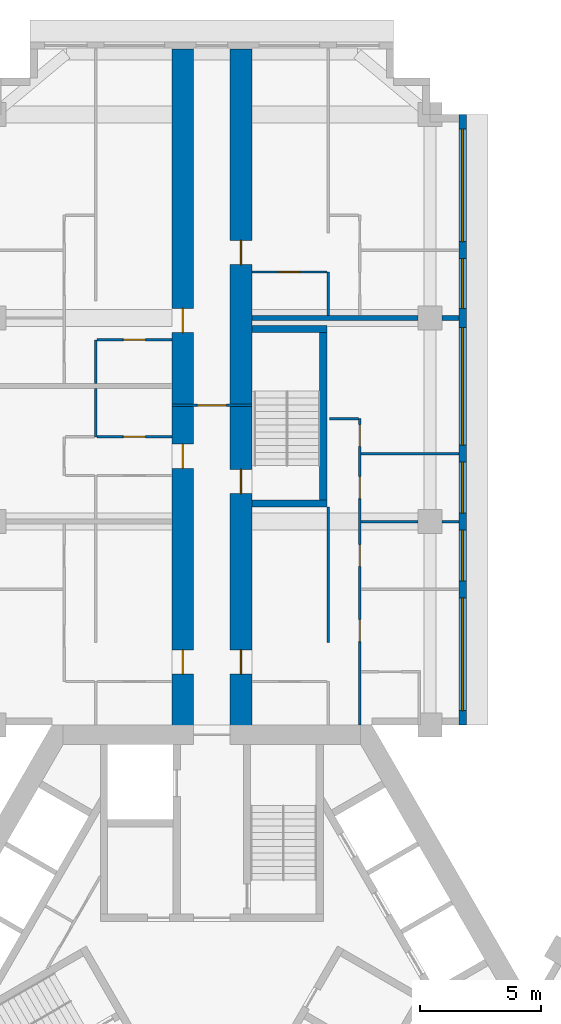
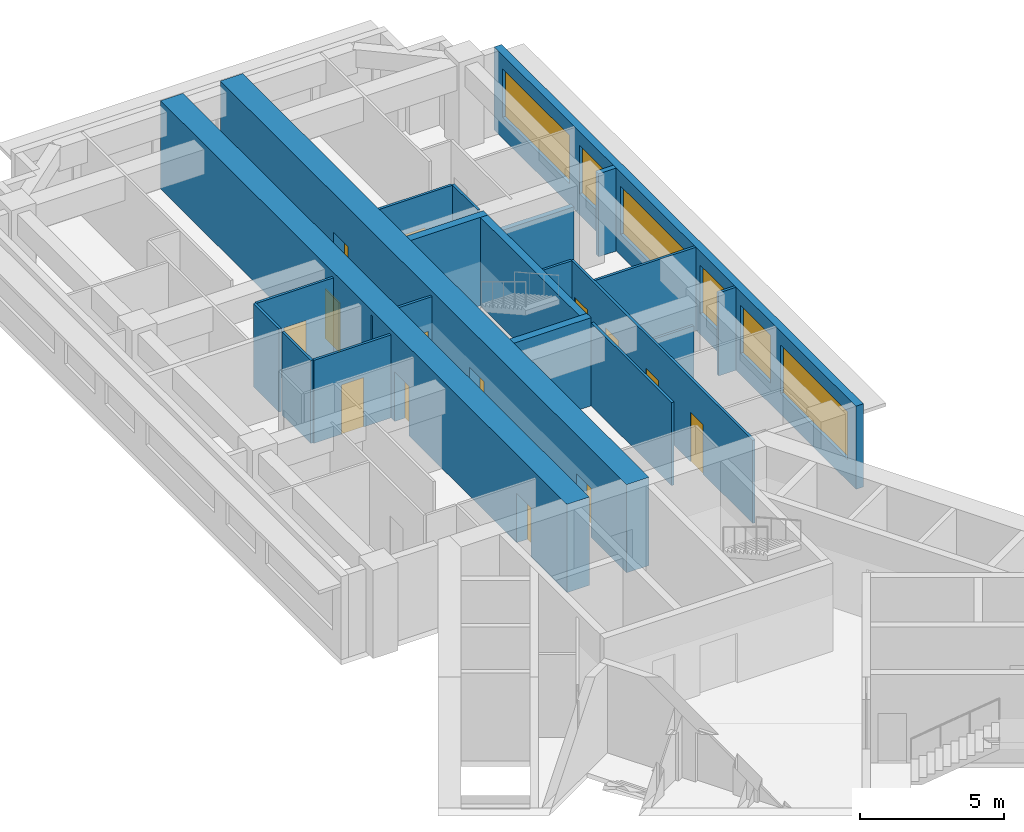
# One storey, part 9 of 13: 21 walls, 14 doors, 6 windows, 20 openings.
"""IFC4 building model written with IfcOpenShell, lengths in metres."""

from ifc_helpers import new_model, si_unit, direction, frame, frame_2d, origin, place, context, subcontext, project, spatial, rectangle, extrude, material, layer, layer_set, type_object, element, fill, save


model = new_model("IFC4")

# Units and contexts
model_context = context("Model", 3, precision=1e-05, world=origin(), true_north=direction((0.0, 1.0)))
body_context = subcontext(model_context, "Body", "Model", "MODEL_VIEW")
ifc_project = project(units=[si_unit("LENGTHUNIT", "METRE"), si_unit("AREAUNIT", "SQUARE_METRE"), si_unit("VOLUMEUNIT", "CUBIC_METRE"), si_unit("PLANEANGLEUNIT", "RADIAN"), si_unit("MASSUNIT", "GRAM", prefix="KILO")], contexts=[model_context])

# Site, building, storey
site_placement = place(None, origin())
site = spatial("IfcSite", under=ifc_project, at=site_placement, CompositionType="ELEMENT")
building_placement = place(site_placement, origin())
building = spatial("IfcBuilding", under=site, at=building_placement, Name="Impinga Residences", CompositionType="ELEMENT")
storey_placement = place(building_placement, frame((0.0, 0.0, 136.0)))
storey = spatial("IfcBuildingStorey", under=building, at=storey_placement, Name="L33", CompositionType="ELEMENT", Elevation=136.0)

# Wall, openings, doors
ifc_material_1 = material(Name="Concrete C60/75", Category="concrete")
ifc_layer_1 = layer(ifc_material_1, 0.89990234375)
ifc_layer_set_1 = layer_set([ifc_layer_1], Name="Concrete C60/75")
wall_type_1 = type_object("IfcWallType", Name="BW2 corridor buttress wall, L24 to L44 900", PredefinedType="SHEAR", material=ifc_layer_set_1)
wall_1_placement = place(storey_placement, frame((-1.199951171875, 11.031494140625, 0.0), z_axis=(0.0, 0.0, 1.0), x_axis=(0.0, 1.0, 0.0)))
wall_1 = element("IfcWall", 1, at=wall_1_placement, inside=storey, type_object=wall_type_1, Name="Corridor wall BW2 NC L33", PredefinedType="SHEAR", context=body_context, shape_type="SweptSolid", body=[
    extrude(rectangle(XDim=28.300048828125, YDim=0.89990234375, at=frame_2d((14.14990234375, 0.0))), origin(), (0.0, 0.0, 1.0), 3.75),
])
opening_1_placement = place(wall_1_placement, frame((2.5, 0.0, 0.0)))
opening_1 = element("IfcOpeningElement", 2, at=opening_1_placement, cuts=wall_1, Name="Opening D1", PredefinedType="OPENING", context=body_context, shape_type="SweptSolid", body=[
    extrude(rectangle(XDim=1.0, YDim=2.10009765625, at=frame_2d((0.5, 1.050048828125))), frame((0.0, 0.4599609375, 0.0), z_axis=(0.0, -1.0, 0.0), x_axis=(1.0, 0.0, 0.0)), (0.0, 0.0, 1.0), 0.919921875),
])
opening_2_placement = place(wall_1_placement, frame((11.0, 0.0, 0.0)))
opening_2 = element("IfcOpeningElement", 3, at=opening_2_placement, cuts=wall_1, Name="Opening D1", PredefinedType="OPENING", context=body_context, shape_type="SweptSolid", body=[
    extrude(rectangle(XDim=1.0, YDim=2.10009765625, at=frame_2d((0.5, 1.050048828125))), frame((0.0, 0.4599609375, 0.0), z_axis=(0.0, -1.0, 0.0), x_axis=(1.0, 0.0, 0.0)), (0.0, 0.0, 1.0), 0.919921875),
])
opening_3_placement = place(wall_1_placement, frame((16.60009765625, 0.0, 0.0)))
opening_3 = element("IfcOpeningElement", 4, at=opening_3_placement, cuts=wall_1, Name="Opening D1", PredefinedType="OPENING", context=body_context, shape_type="SweptSolid", body=[
    extrude(rectangle(XDim=1.0, YDim=2.10009765625, at=frame_2d((0.5, 1.050048828125))), frame((0.0, 0.4599609375, 0.0), z_axis=(0.0, -1.0, 0.0), x_axis=(1.0, 0.0, 0.0)), (0.0, 0.0, 1.0), 0.919921875),
])
ifc_material_2 = material(Name="Timber door set", Category="wood")
door_type_1 = type_object("IfcDoorType", Name="D1 apartment entrance door 1000x2100", OperationType="SINGLE_SWING_LEFT", PredefinedType="DOOR", material=ifc_material_2)
door_1_placement = place(opening_1_placement, origin())
door_1 = element("IfcDoor", 5, at=door_1_placement, inside=storey, type_object=door_type_1, Name="Apartment L33-NA1 entrance", OperationType="SINGLE_SWING_LEFT", OverallHeight=2.10009765625, OverallWidth=1.0, PredefinedType="DOOR", context=body_context, shape_type="SweptSolid", body=[
    extrude(rectangle(XDim=1.0, YDim=2.10009765625, at=frame_2d((0.5, 1.050048828125))), frame((0.0, 0.02490234375, 0.0), z_axis=(0.0, -1.0, 0.0), x_axis=(1.0, 0.0, 0.0)), (0.0, 0.0, 1.0), 0.050048828125),
])
fill(opening_1, door_1)
door_2_placement = place(opening_2_placement, origin())
door_2 = element("IfcDoor", 6, at=door_2_placement, inside=storey, type_object=door_type_1, Name="Apartment L33-NA2 entrance", OperationType="SINGLE_SWING_LEFT", OverallHeight=2.10009765625, OverallWidth=1.0, PredefinedType="DOOR", context=body_context, shape_type="SweptSolid", body=[
    extrude(rectangle(XDim=1.0, YDim=2.10009765625, at=frame_2d((0.5, 1.050048828125))), frame((0.0, 0.02490234375, 0.0), z_axis=(0.0, -1.0, 0.0), x_axis=(1.0, 0.0, 0.0)), (0.0, 0.0, 1.0), 0.050048828125),
])
fill(opening_2, door_2)
door_3_placement = place(opening_3_placement, origin())
door_3 = element("IfcDoor", 7, at=door_3_placement, inside=storey, type_object=door_type_1, Name="Apartment L33-NA3 entrance", OperationType="SINGLE_SWING_RIGHT", OverallHeight=2.10009765625, OverallWidth=1.0, PredefinedType="DOOR", context=body_context, shape_type="SweptSolid", body=[
    extrude(rectangle(XDim=1.0, YDim=2.10009765625, at=frame_2d((0.5, 1.050048828125))), frame((0.0, 0.02490234375, 0.0), z_axis=(0.0, -1.0, 0.0), x_axis=(1.0, 0.0, 0.0)), (0.0, 0.0, 1.0), 0.050048828125),
])
fill(opening_3, door_3)

wall_2_placement = place(storey_placement, frame((1.199951171875, 11.031494140625, 0.0), z_axis=(0.0, 0.0, 1.0), x_axis=(0.0, 1.0, 0.0)))
wall_2 = element("IfcWall", 8, at=wall_2_placement, inside=storey, type_object=wall_type_1, Name="Corridor wall BW2 ND L33", PredefinedType="SHEAR", context=body_context, shape_type="SweptSolid", body=[
    extrude(rectangle(XDim=28.300048828125, YDim=0.89990234375, at=frame_2d((14.14990234375, 0.0))), origin(), (0.0, 0.0, 1.0), 3.75),
])
opening_4_placement = place(wall_2_placement, frame((9.949951171875, 0.0, 0.0)))
opening_4 = element("IfcOpeningElement", 9, at=opening_4_placement, cuts=wall_2, Name="Opening D5", PredefinedType="OPENING", context=body_context, shape_type="SweptSolid", body=[
    extrude(rectangle(XDim=1.0, YDim=2.10009765625, at=frame_2d((0.5, 1.050048828125))), frame((0.0, 0.4599609375, 0.0), z_axis=(0.0, -1.0, 0.0), x_axis=(1.0, 0.0, 0.0)), (0.0, 0.0, 1.0), 0.919921875),
])
opening_5_placement = place(wall_2_placement, frame((2.5, 0.0, 0.0)))
opening_5 = element("IfcOpeningElement", 10, at=opening_5_placement, cuts=wall_2, Name="Opening D1", PredefinedType="OPENING", context=body_context, shape_type="SweptSolid", body=[
    extrude(rectangle(XDim=1.0, YDim=2.10009765625, at=frame_2d((0.5, 1.050048828125))), frame((0.0, 0.4599609375, 0.0), z_axis=(0.0, -1.0, 0.0), x_axis=(1.0, 0.0, 0.0)), (0.0, 0.0, 1.0), 0.919921875),
])
opening_6_placement = place(wall_2_placement, frame((19.39990234375, 0.0, 0.0)))
opening_6 = element("IfcOpeningElement", 11, at=opening_6_placement, cuts=wall_2, Name="Opening D1", PredefinedType="OPENING", context=body_context, shape_type="SweptSolid", body=[
    extrude(rectangle(XDim=1.0, YDim=2.10009765625, at=frame_2d((0.5, 1.050048828125))), frame((0.0, 0.4599609375, 0.0), z_axis=(0.0, -1.0, 0.0), x_axis=(1.0, 0.0, 0.0)), (0.0, 0.0, 1.0), 0.919921875),
])
door_4_placement = place(opening_5_placement, origin())
door_4 = element("IfcDoor", 12, at=door_4_placement, inside=storey, type_object=door_type_1, Name="Apartment L33-NF1 entrance", OperationType="SINGLE_SWING_LEFT", OverallHeight=2.10009765625, OverallWidth=1.0, PredefinedType="DOOR", context=body_context, shape_type="SweptSolid", body=[
    extrude(rectangle(XDim=1.0, YDim=2.10009765625, at=frame_2d((0.5, 1.050048828125))), frame((0.0, 0.02490234375, 0.0), z_axis=(0.0, -1.0, 0.0), x_axis=(1.0, 0.0, 0.0)), (0.0, 0.0, 1.0), 0.050048828125),
])
fill(opening_5, door_4)
door_5_placement = place(opening_6_placement, origin())
door_5 = element("IfcDoor", 13, at=door_5_placement, inside=storey, type_object=door_type_1, Name="Apartment L33-NF2 entrance", OperationType="SINGLE_SWING_RIGHT", OverallHeight=2.10009765625, OverallWidth=1.0, PredefinedType="DOOR", context=body_context, shape_type="SweptSolid", body=[
    extrude(rectangle(XDim=1.0, YDim=2.10009765625, at=frame_2d((0.5, 1.050048828125))), frame((0.0, 0.02490234375, 0.0), z_axis=(0.0, -1.0, 0.0), x_axis=(1.0, 0.0, 0.0)), (0.0, 0.0, 1.0), 0.050048828125),
])
fill(opening_6, door_5)
door_type_2 = type_object("IfcDoorType", Name="D5 stair door 1000x2100", OperationType="SINGLE_SWING_LEFT", PredefinedType="DOOR", material=ifc_material_2)
door_6_placement = place(opening_4_placement, origin())
door_6 = element("IfcDoor", 14, at=door_6_placement, inside=storey, type_object=door_type_2, Name="Wing stair door N", OperationType="SINGLE_SWING_LEFT", OverallHeight=2.10009765625, OverallWidth=1.0, PredefinedType="DOOR", context=body_context, shape_type="SweptSolid", body=[
    extrude(rectangle(XDim=1.0, YDim=2.10009765625, at=frame_2d((0.5, 1.050048828125))), frame((0.0, 0.02490234375, 0.0), z_axis=(0.0, -1.0, 0.0), x_axis=(1.0, 0.0, 0.0)), (0.0, 0.0, 1.0), 0.050048828125),
])
fill(opening_4, door_6)

# Wall, opening, door
ifc_material_3 = material(Name="Concrete blockwork", Category="masonry")
ifc_layer_2 = layer(ifc_material_3, 0.10009765625)
ifc_layer_set_2 = layer_set([ifc_layer_2], Name="CP1 core room partition, blockwork 100")
wall_type_2 = type_object("IfcWallType", Name="CP1 core room partition, blockwork 100", PredefinedType="PARTITIONING", material=ifc_layer_set_2)
wall_3_placement = place(storey_placement, frame((-1.64990234375, 24.631591796875, 0.0), z_axis=(0.0, 0.0, 1.0), x_axis=(1.0, 0.0, 0.0)))
wall_3 = element("IfcWall", 15, at=wall_3_placement, inside=storey, type_object=wall_type_2, Name="Core room partition, blockwork L33:N:PLB", PredefinedType="PARTITIONING", context=body_context, shape_type="SweptSolid", body=[
    extrude(rectangle(XDim=3.2998046875, YDim=0.10009765625, at=frame_2d((1.64990234375, 0.0))), origin(), (0.0, 0.0, 1.0), 3.530029296875),
])
opening_7_placement = place(wall_3_placement, frame((1.050048828125, 0.0, 0.0)))
opening_7 = element("IfcOpeningElement", 16, at=opening_7_placement, cuts=wall_3, Name="Opening D3", PredefinedType="OPENING", context=body_context, shape_type="SweptSolid", body=[
    extrude(rectangle(XDim=1.199951171875, YDim=2.10009765625, at=frame_2d((0.60009765625, 1.050048828125))), frame((0.0, 0.06005859375, 0.0), z_axis=(0.0, -1.0, 0.0), x_axis=(1.0, 0.0, 0.0)), (0.0, 0.0, 1.0), 0.1201171875),
])
door_type_3 = type_object("IfcDoorType", Name="D3 room door, leaf and a half 1200x2100", OperationType="DOUBLE_SWING_LEFT", PredefinedType="DOOR", material=ifc_material_2)
door_7_placement = place(opening_7_placement, origin())
door_7 = element("IfcDoor", 17, at=door_7_placement, inside=storey, type_object=door_type_3, Name="Private lobby door N", OperationType="DOUBLE_SWING_LEFT", OverallHeight=2.10009765625, OverallWidth=1.199951171875, PredefinedType="DOOR", context=body_context, shape_type="SweptSolid", body=[
    extrude(rectangle(XDim=1.199951171875, YDim=2.10009765625, at=frame_2d((0.60009765625, 1.050048828125))), frame((0.0, 0.02490234375, 0.0), z_axis=(0.0, -1.0, 0.0), x_axis=(1.0, 0.0, 0.0)), (0.0, 0.0, 1.0), 0.050048828125),
])
fill(opening_7, door_7)

# Wall, openings, windows
ifc_material_4 = material(Name="Terracotta rainscreen on blockwork", Category="masonry")
ifc_layer_3 = layer(ifc_material_4, 0.300048828125)
ifc_layer_set_3 = layer_set([ifc_layer_3], Name="EW1 external wall, terracotta rainscreen on blockwork 300")
wall_type_3 = type_object("IfcWallType", Name="EW1 external wall, terracotta rainscreen on blockwork 300", PredefinedType="SOLIDWALL", material=ifc_layer_set_3)
wall_4_placement = place(storey_placement, frame((10.35009765625, 36.631591796875, 0.0), z_axis=(0.0, 0.0, 1.0), x_axis=(0.0, -1.0, 0.0)))
wall_4 = element("IfcWall", 18, at=wall_4_placement, inside=storey, type_object=wall_type_3, Name="External wall EW1 L33", PredefinedType="SOLIDWALL", context=body_context, shape_type="SweptSolid", body=[
    extrude(rectangle(XDim=25.199951171875, YDim=0.300048828125, at=frame_2d((12.60009765625, 0.0))), origin(), (0.0, 0.0, 1.0), 3.530029296875),
])
opening_8_placement = place(wall_4_placement, frame((0.60009765625, 0.0, 0.89990234375)))
opening_8 = element("IfcOpeningElement", 19, at=opening_8_placement, cuts=wall_4, Name="Opening W10", PredefinedType="OPENING", context=body_context, shape_type="SweptSolid", body=[
    extrude(rectangle(XDim=4.64990234375, YDim=2.050048828125, at=frame_2d((2.324951171875, 1.02490234375))), frame((0.0, 0.159912109375, 0.0), z_axis=(0.0, -1.0, 0.0), x_axis=(1.0, 0.0, 0.0)), (0.0, 0.0, 1.0), 0.320068359375),
])
opening_9_placement = place(wall_4_placement, frame((5.949951171875, 0.0, 0.89990234375)))
opening_9 = element("IfcOpeningElement", 20, at=opening_9_placement, cuts=wall_4, Name="Opening W14", PredefinedType="OPENING", context=body_context, shape_type="SweptSolid", body=[
    extrude(rectangle(XDim=2.050048828125, YDim=2.050048828125, at=frame_2d((1.02490234375, 1.02490234375))), frame((0.0, 0.159912109375, 0.0), z_axis=(0.0, -1.0, 0.0), x_axis=(1.0, 0.0, 0.0)), (0.0, 0.0, 1.0), 0.320068359375),
])
opening_10_placement = place(wall_4_placement, frame((8.800048828125, 0.0, 0.89990234375)))
opening_10 = element("IfcOpeningElement", 21, at=opening_10_placement, cuts=wall_4, Name="Opening W6", PredefinedType="OPENING", context=body_context, shape_type="SweptSolid", body=[
    extrude(rectangle(XDim=4.85009765625, YDim=2.050048828125, at=frame_2d((2.425048828125, 1.02490234375))), frame((0.0, 0.159912109375, 0.0), z_axis=(0.0, -1.0, 0.0), x_axis=(1.0, 0.0, 0.0)), (0.0, 0.0, 1.0), 0.320068359375),
])
opening_11_placement = place(wall_4_placement, frame((14.35009765625, 0.0, 0.89990234375)))
opening_11 = element("IfcOpeningElement", 22, at=opening_11_placement, cuts=wall_4, Name="Opening W9", PredefinedType="OPENING", context=body_context, shape_type="SweptSolid", body=[
    extrude(rectangle(XDim=2.10009765625, YDim=2.050048828125, at=frame_2d((1.050048828125, 1.02490234375))), frame((0.0, 0.159912109375, 0.0), z_axis=(0.0, -1.0, 0.0), x_axis=(1.0, 0.0, 0.0)), (0.0, 0.0, 1.0), 0.320068359375),
])
opening_12_placement = place(wall_4_placement, frame((17.14990234375, 0.0, 0.89990234375)))
opening_12 = element("IfcOpeningElement", 23, at=opening_12_placement, cuts=wall_4, Name="Opening W9", PredefinedType="OPENING", context=body_context, shape_type="SweptSolid", body=[
    extrude(rectangle(XDim=2.10009765625, YDim=2.050048828125, at=frame_2d((1.050048828125, 1.02490234375))), frame((0.0, 0.159912109375, 0.0), z_axis=(0.0, -1.0, 0.0), x_axis=(1.0, 0.0, 0.0)), (0.0, 0.0, 1.0), 0.320068359375),
])
opening_13_placement = place(wall_4_placement, frame((19.949951171875, 0.0, 0.89990234375)))
opening_13 = element("IfcOpeningElement", 24, at=opening_13_placement, cuts=wall_4, Name="Opening W10", PredefinedType="OPENING", context=body_context, shape_type="SweptSolid", body=[
    extrude(rectangle(XDim=4.64990234375, YDim=2.050048828125, at=frame_2d((2.324951171875, 1.02490234375))), frame((0.0, 0.159912109375, 0.0), z_axis=(0.0, -1.0, 0.0), x_axis=(1.0, 0.0, 0.0)), (0.0, 0.0, 1.0), 0.320068359375),
])
ifc_material_5 = material(Name="Aluminium window, clear double glazing", Category="aluminium")
window_type_1 = type_object("IfcWindowType", Name="W10 ribbon window 4650x2050", PartitioningType="SINGLE_PANEL", PredefinedType="WINDOW", material=ifc_material_5)
window_1_placement = place(opening_8_placement, origin())
window_1 = element("IfcWindow", 25, at=window_1_placement, inside=storey, type_object=window_type_1, Name="Window L33", OverallHeight=2.050048828125, OverallWidth=4.64990234375, PartitioningType="SINGLE_PANEL", PredefinedType="WINDOW", context=body_context, shape_type="SweptSolid", body=[
    extrude(rectangle(XDim=4.64990234375, YDim=2.050048828125, at=frame_2d((2.324951171875, 1.02490234375))), frame((0.0, 0.030029296875, 0.0), z_axis=(0.0, -1.0, 0.0), x_axis=(1.0, 0.0, 0.0)), (0.0, 0.0, 1.0), 0.06005859375),
])
fill(opening_8, window_1)
window_2_placement = place(opening_13_placement, origin())
window_2 = element("IfcWindow", 26, at=window_2_placement, inside=storey, type_object=window_type_1, Name="Window L33", OverallHeight=2.050048828125, OverallWidth=4.64990234375, PartitioningType="SINGLE_PANEL", PredefinedType="WINDOW", context=body_context, shape_type="SweptSolid", body=[
    extrude(rectangle(XDim=4.64990234375, YDim=2.050048828125, at=frame_2d((2.324951171875, 1.02490234375))), frame((0.0, 0.030029296875, 0.0), z_axis=(0.0, -1.0, 0.0), x_axis=(1.0, 0.0, 0.0)), (0.0, 0.0, 1.0), 0.06005859375),
])
fill(opening_13, window_2)
window_type_2 = type_object("IfcWindowType", Name="W14 ribbon window 2050x2050", PartitioningType="SINGLE_PANEL", PredefinedType="WINDOW", material=ifc_material_5)
window_3_placement = place(opening_9_placement, origin())
window_3 = element("IfcWindow", 27, at=window_3_placement, inside=storey, type_object=window_type_2, Name="Window L33", OverallHeight=2.050048828125, OverallWidth=2.050048828125, PartitioningType="SINGLE_PANEL", PredefinedType="WINDOW", context=body_context, shape_type="SweptSolid", body=[
    extrude(rectangle(XDim=2.050048828125, YDim=2.050048828125, at=frame_2d((1.02490234375, 1.02490234375))), frame((0.0, 0.030029296875, 0.0), z_axis=(0.0, -1.0, 0.0), x_axis=(1.0, 0.0, 0.0)), (0.0, 0.0, 1.0), 0.06005859375),
])
fill(opening_9, window_3)
window_type_3 = type_object("IfcWindowType", Name="W6 ribbon window 4850x2050", PartitioningType="SINGLE_PANEL", PredefinedType="WINDOW", material=ifc_material_5)
window_4_placement = place(opening_10_placement, origin())
window_4 = element("IfcWindow", 28, at=window_4_placement, inside=storey, type_object=window_type_3, Name="Window L33", OverallHeight=2.050048828125, OverallWidth=4.85009765625, PartitioningType="SINGLE_PANEL", PredefinedType="WINDOW", context=body_context, shape_type="SweptSolid", body=[
    extrude(rectangle(XDim=4.85009765625, YDim=2.050048828125, at=frame_2d((2.425048828125, 1.02490234375))), frame((0.0, 0.030029296875, 0.0), z_axis=(0.0, -1.0, 0.0), x_axis=(1.0, 0.0, 0.0)), (0.0, 0.0, 1.0), 0.06005859375),
])
fill(opening_10, window_4)
window_type_4 = type_object("IfcWindowType", Name="W9 ribbon window 2100x2050", PartitioningType="SINGLE_PANEL", PredefinedType="WINDOW", material=ifc_material_5)
window_5_placement = place(opening_11_placement, origin())
window_5 = element("IfcWindow", 29, at=window_5_placement, inside=storey, type_object=window_type_4, Name="Window L33", OverallHeight=2.050048828125, OverallWidth=2.10009765625, PartitioningType="SINGLE_PANEL", PredefinedType="WINDOW", context=body_context, shape_type="SweptSolid", body=[
    extrude(rectangle(XDim=2.10009765625, YDim=2.050048828125, at=frame_2d((1.050048828125, 1.02490234375))), frame((0.0, 0.030029296875, 0.0), z_axis=(0.0, -1.0, 0.0), x_axis=(1.0, 0.0, 0.0)), (0.0, 0.0, 1.0), 0.06005859375),
])
fill(opening_11, window_5)
window_6_placement = place(opening_12_placement, origin())
window_6 = element("IfcWindow", 30, at=window_6_placement, inside=storey, type_object=window_type_4, Name="Window L33", OverallHeight=2.050048828125, OverallWidth=2.10009765625, PartitioningType="SINGLE_PANEL", PredefinedType="WINDOW", context=body_context, shape_type="SweptSolid", body=[
    extrude(rectangle(XDim=2.10009765625, YDim=2.050048828125, at=frame_2d((1.050048828125, 1.02490234375))), frame((0.0, 0.030029296875, 0.0), z_axis=(0.0, -1.0, 0.0), x_axis=(1.0, 0.0, 0.0)), (0.0, 0.0, 1.0), 0.06005859375),
])
fill(opening_12, window_6)

# Wall
ifc_material_6 = material(Name="Gypsum board on steel studs", Category="steel")
ifc_layer_4 = layer(ifc_material_6, 0.10009765625)
ifc_layer_set_4 = layer_set([ifc_layer_4], Name="Gypsum board on steel studs")
wall_type_4 = type_object("IfcWallType", Name="IP1 partition 100", PredefinedType="PARTITIONING", material=ifc_layer_set_4)
wall_5_placement = place(storey_placement, frame((-4.800048828125, 23.33154296875, 0.0), z_axis=(0.0, 0.0, 1.0), x_axis=(0.0, 1.0, 0.0)))
element("IfcWall", 31, at=wall_5_placement, inside=storey, type_object=wall_type_4, Name="Partition L33-NA2:DIV1", PredefinedType="PARTITIONING", context=body_context, shape_type="SweptSolid", body=[
    extrude(rectangle(XDim=2.0, YDim=0.10009765625, at=frame_2d((1.0, 0.0))), origin(), (0.0, 0.0, 1.0), 3.530029296875),
])

# Wall, opening, door
wall_6_placement = place(storey_placement, frame((-1.64990234375, 23.33154296875, 0.0), z_axis=(0.0, 0.0, 1.0), x_axis=(-1.0, 0.0, 0.0)))
wall_6 = element("IfcWall", 32, at=wall_6_placement, inside=storey, type_object=wall_type_4, Name="Partition L33-NA2:IB2", PredefinedType="PARTITIONING", context=body_context, shape_type="SweptSolid", body=[
    extrude(rectangle(XDim=3.10009765625, YDim=0.10009765625, at=frame_2d((1.550048828125, 0.0))), origin(), (0.0, 0.0, 1.0), 3.530029296875),
])
opening_14_placement = place(wall_6_placement, frame((1.10009765625, 0.0, 0.0)))
opening_14 = element("IfcOpeningElement", 33, at=opening_14_placement, cuts=wall_6, Name="Opening D2", PredefinedType="OPENING", context=body_context, shape_type="SweptSolid", body=[
    extrude(rectangle(XDim=0.89990234375, YDim=2.10009765625, at=frame_2d((0.449951171875, 1.050048828125))), frame((0.0, 0.06005859375, 0.0), z_axis=(0.0, -1.0, 0.0), x_axis=(1.0, 0.0, 0.0)), (0.0, 0.0, 1.0), 0.1201171875),
])
door_type_4 = type_object("IfcDoorType", Name="D2 internal door 900x2100", OperationType="SINGLE_SWING_LEFT", PredefinedType="DOOR", material=ifc_material_2)
door_8_placement = place(opening_14_placement, origin())
door_8 = element("IfcDoor", 34, at=door_8_placement, inside=storey, type_object=door_type_4, Name="Apartment L33-NA2 WC door", OperationType="SINGLE_SWING_LEFT", OverallHeight=2.10009765625, OverallWidth=0.89990234375, PredefinedType="DOOR", context=body_context, shape_type="SweptSolid", body=[
    extrude(rectangle(XDim=0.89990234375, YDim=2.10009765625, at=frame_2d((0.449951171875, 1.050048828125))), frame((0.0, 0.02490234375, 0.0), z_axis=(0.0, -1.0, 0.0), x_axis=(1.0, 0.0, 0.0)), (0.0, 0.0, 1.0), 0.050048828125),
])
fill(opening_14, door_8)

# Wall
wall_7_placement = place(storey_placement, frame((-4.800048828125, 25.531494140625, 0.0), z_axis=(0.0, 0.0, 1.0), x_axis=(0.0, 1.0, 0.0)))
element("IfcWall", 35, at=wall_7_placement, inside=storey, type_object=wall_type_4, Name="Partition L33-NA3:DIV0", PredefinedType="PARTITIONING", context=body_context, shape_type="SweptSolid", body=[
    extrude(rectangle(XDim=1.800048828125, YDim=0.10009765625, at=frame_2d((0.89990234375, 0.0))), origin(), (0.0, 0.0, 1.0), 3.530029296875),
])

# Wall, opening, door
wall_8_placement = place(storey_placement, frame((-1.64990234375, 27.33154296875, 0.0), z_axis=(0.0, 0.0, 1.0), x_axis=(-1.0, 0.0, 0.0)))
wall_8 = element("IfcWall", 36, at=wall_8_placement, inside=storey, type_object=wall_type_4, Name="Partition L33-NA3:IB1", PredefinedType="PARTITIONING", context=body_context, shape_type="SweptSolid", body=[
    extrude(rectangle(XDim=3.10009765625, YDim=0.10009765625, at=frame_2d((1.550048828125, 0.0))), origin(), (0.0, 0.0, 1.0), 3.530029296875),
])
opening_15_placement = place(wall_8_placement, frame((1.10009765625, 0.0, 0.0)))
opening_15 = element("IfcOpeningElement", 37, at=opening_15_placement, cuts=wall_8, Name="Opening D2", PredefinedType="OPENING", context=body_context, shape_type="SweptSolid", body=[
    extrude(rectangle(XDim=0.89990234375, YDim=2.10009765625, at=frame_2d((0.449951171875, 1.050048828125))), frame((0.0, 0.06005859375, 0.0), z_axis=(0.0, -1.0, 0.0), x_axis=(1.0, 0.0, 0.0)), (0.0, 0.0, 1.0), 0.1201171875),
])
door_9_placement = place(opening_15_placement, origin())
door_9 = element("IfcDoor", 38, at=door_9_placement, inside=storey, type_object=door_type_4, Name="Apartment L33-NA3 bathroom door", OperationType="SINGLE_SWING_LEFT", OverallHeight=2.10009765625, OverallWidth=0.89990234375, PredefinedType="DOOR", context=body_context, shape_type="SweptSolid", body=[
    extrude(rectangle(XDim=0.89990234375, YDim=2.10009765625, at=frame_2d((0.449951171875, 1.050048828125))), frame((0.0, 0.02490234375, 0.0), z_axis=(0.0, -1.0, 0.0), x_axis=(1.0, 0.0, 0.0)), (0.0, 0.0, 1.0), 0.050048828125),
])
fill(opening_15, door_9)

# Wall
wall_9_placement = place(storey_placement, frame((4.800048828125, 14.83154296875, 0.0), z_axis=(0.0, 0.0, 1.0), x_axis=(0.0, 1.0, 0.0)))
element("IfcWall", 39, at=wall_9_placement, inside=storey, type_object=wall_type_4, Name="Partition L33-NF1:DIV1", PredefinedType="PARTITIONING", context=body_context, shape_type="SweptSolid", body=[
    extrude(rectangle(XDim=5.60009765625, YDim=0.10009765625, at=frame_2d((2.800048828125, 0.0))), origin(), (0.0, 0.0, 1.0), 3.530029296875),
])

# Wall, openings, doors
wall_10_placement = place(storey_placement, frame((6.10009765625, 11.431640625, 0.0), z_axis=(0.0, 0.0, 1.0), x_axis=(0.0, 1.0, 0.0)))
wall_10 = element("IfcWall", 40, at=wall_10_placement, inside=storey, type_object=wall_type_4, Name="Partition L33-NF1:STRIP", PredefinedType="PARTITIONING", context=body_context, shape_type="SweptSolid", body=[
    extrude(rectangle(XDim=12.64990234375, YDim=0.10009765625, at=frame_2d((6.324951171875, 0.0))), origin(), (0.0, 0.0, 1.0), 3.530029296875),
])
opening_16_placement = place(wall_10_placement, frame((3.449951171875, 0.0, 0.0)))
opening_16 = element("IfcOpeningElement", 41, at=opening_16_placement, cuts=wall_10, Name="Opening D2", PredefinedType="OPENING", context=body_context, shape_type="SweptSolid", body=[
    extrude(rectangle(XDim=0.89990234375, YDim=2.10009765625, at=frame_2d((0.449951171875, 1.050048828125))), frame((0.0, 0.06005859375, 0.0), z_axis=(0.0, -1.0, 0.0), x_axis=(1.0, 0.0, 0.0)), (0.0, 0.0, 1.0), 0.1201171875),
])
opening_17_placement = place(wall_10_placement, frame((6.550048828125, 0.0, 0.0)))
opening_17 = element("IfcOpeningElement", 42, at=opening_17_placement, cuts=wall_10, Name="Opening D2", PredefinedType="OPENING", context=body_context, shape_type="SweptSolid", body=[
    extrude(rectangle(XDim=0.89990234375, YDim=2.10009765625, at=frame_2d((0.449951171875, 1.050048828125))), frame((0.0, 0.06005859375, 0.0), z_axis=(0.0, -1.0, 0.0), x_axis=(1.0, 0.0, 0.0)), (0.0, 0.0, 1.0), 0.1201171875),
])
opening_18_placement = place(wall_10_placement, frame((9.35009765625, 0.0, 0.0)))
opening_18 = element("IfcOpeningElement", 43, at=opening_18_placement, cuts=wall_10, Name="Opening D2", PredefinedType="OPENING", context=body_context, shape_type="SweptSolid", body=[
    extrude(rectangle(XDim=0.89990234375, YDim=2.10009765625, at=frame_2d((0.449951171875, 1.050048828125))), frame((0.0, 0.06005859375, 0.0), z_axis=(0.0, -1.0, 0.0), x_axis=(1.0, 0.0, 0.0)), (0.0, 0.0, 1.0), 0.1201171875),
])
opening_19_placement = place(wall_10_placement, frame((11.5, 0.0, 0.0)))
opening_19 = element("IfcOpeningElement", 44, at=opening_19_placement, cuts=wall_10, Name="Opening D2", PredefinedType="OPENING", context=body_context, shape_type="SweptSolid", body=[
    extrude(rectangle(XDim=0.89990234375, YDim=2.10009765625, at=frame_2d((0.449951171875, 1.050048828125))), frame((0.0, 0.06005859375, 0.0), z_axis=(0.0, -1.0, 0.0), x_axis=(1.0, 0.0, 0.0)), (0.0, 0.0, 1.0), 0.1201171875),
])
door_10_placement = place(opening_16_placement, origin())
door_10 = element("IfcDoor", 45, at=door_10_placement, inside=storey, type_object=door_type_4, Name="Apartment L33-NF1 room door", OperationType="SINGLE_SWING_LEFT", OverallHeight=2.10009765625, OverallWidth=0.89990234375, PredefinedType="DOOR", context=body_context, shape_type="SweptSolid", body=[
    extrude(rectangle(XDim=0.89990234375, YDim=2.10009765625, at=frame_2d((0.449951171875, 1.050048828125))), frame((0.0, 0.02490234375, 0.0), z_axis=(0.0, -1.0, 0.0), x_axis=(1.0, 0.0, 0.0)), (0.0, 0.0, 1.0), 0.050048828125),
])
fill(opening_16, door_10)
door_11_placement = place(opening_17_placement, origin())
door_11 = element("IfcDoor", 46, at=door_11_placement, inside=storey, type_object=door_type_4, Name="Apartment L33-NF1 room door", OperationType="SINGLE_SWING_RIGHT", OverallHeight=2.10009765625, OverallWidth=0.89990234375, PredefinedType="DOOR", context=body_context, shape_type="SweptSolid", body=[
    extrude(rectangle(XDim=0.89990234375, YDim=2.10009765625, at=frame_2d((0.449951171875, 1.050048828125))), frame((0.0, 0.02490234375, 0.0), z_axis=(0.0, -1.0, 0.0), x_axis=(1.0, 0.0, 0.0)), (0.0, 0.0, 1.0), 0.050048828125),
])
fill(opening_17, door_11)
door_12_placement = place(opening_18_placement, origin())
door_12 = element("IfcDoor", 47, at=door_12_placement, inside=storey, type_object=door_type_4, Name="Apartment L33-NF1 room door", OperationType="SINGLE_SWING_RIGHT", OverallHeight=2.10009765625, OverallWidth=0.89990234375, PredefinedType="DOOR", context=body_context, shape_type="SweptSolid", body=[
    extrude(rectangle(XDim=0.89990234375, YDim=2.10009765625, at=frame_2d((0.449951171875, 1.050048828125))), frame((0.0, 0.02490234375, 0.0), z_axis=(0.0, -1.0, 0.0), x_axis=(1.0, 0.0, 0.0)), (0.0, 0.0, 1.0), 0.050048828125),
])
fill(opening_18, door_12)
door_13_placement = place(opening_19_placement, origin())
door_13 = element("IfcDoor", 48, at=door_13_placement, inside=storey, type_object=door_type_4, Name="Apartment L33-NF1 room door", OperationType="SINGLE_SWING_RIGHT", OverallHeight=2.10009765625, OverallWidth=0.89990234375, PredefinedType="DOOR", context=body_context, shape_type="SweptSolid", body=[
    extrude(rectangle(XDim=0.89990234375, YDim=2.10009765625, at=frame_2d((0.449951171875, 1.050048828125))), frame((0.0, 0.02490234375, 0.0), z_axis=(0.0, -1.0, 0.0), x_axis=(1.0, 0.0, 0.0)), (0.0, 0.0, 1.0), 0.050048828125),
])
fill(opening_19, door_13)

# Walls
wall_11_placement = place(storey_placement, frame((4.85009765625, 24.08154296875, 0.0), z_axis=(0.0, 0.0, 1.0), x_axis=(1.0, 0.0, 0.0)))
element("IfcWall", 49, at=wall_11_placement, inside=storey, type_object=wall_type_4, Name="Partition L33-NF1:SE1", PredefinedType="PARTITIONING", context=body_context, shape_type="SweptSolid", body=[
    extrude(rectangle(XDim=1.199951171875, YDim=0.10009765625, at=frame_2d((0.60009765625, 0.0))), origin(), (0.0, 0.0, 1.0), 3.530029296875),
])
wall_12_placement = place(storey_placement, frame((6.14990234375, 19.83154296875, 0.0), z_axis=(0.0, 0.0, 1.0), x_axis=(1.0, 0.0, 0.0)))
element("IfcWall", 50, at=wall_12_placement, inside=storey, type_object=wall_type_4, Name="Partition L33-NF1:OB2", PredefinedType="PARTITIONING", context=body_context, shape_type="SweptSolid", body=[
    extrude(rectangle(XDim=2.35009765625, YDim=0.10009765625, at=frame_2d((1.175048828125, 0.0))), origin(), (0.0, 0.0, 1.0), 2.47998046875),
])
wall_13_placement = place(storey_placement, frame((9.5, 19.83154296875, 0.0), z_axis=(0.0, 0.0, 1.0), x_axis=(1.0, 0.0, 0.0)))
element("IfcWall", 51, at=wall_13_placement, inside=storey, type_object=wall_type_4, Name="Partition L33-NF1:OB2b", PredefinedType="PARTITIONING", context=body_context, shape_type="SweptSolid", body=[
    extrude(rectangle(XDim=0.699951171875, YDim=0.10009765625, at=frame_2d((0.35009765625, 0.0))), origin(), (0.0, 0.0, 1.0), 3.530029296875),
])
wall_14_placement = place(storey_placement, frame((6.14990234375, 22.631591796875, 0.0), z_axis=(0.0, 0.0, 1.0), x_axis=(1.0, 0.0, 0.0)))
element("IfcWall", 52, at=wall_14_placement, inside=storey, type_object=wall_type_4, Name="Partition L33-NF1:OB3", PredefinedType="PARTITIONING", context=body_context, shape_type="SweptSolid", body=[
    extrude(rectangle(XDim=4.050048828125, YDim=0.10009765625, at=frame_2d((2.02490234375, 0.0))), origin(), (0.0, 0.0, 1.0), 3.530029296875),
])
wall_15_placement = place(storey_placement, frame((4.800048828125, 28.33154296875, 0.0), z_axis=(0.0, 0.0, 1.0), x_axis=(0.0, 1.0, 0.0)))
element("IfcWall", 53, at=wall_15_placement, inside=storey, type_object=wall_type_4, Name="Partition L33-NF2:DIV0", PredefinedType="PARTITIONING", context=body_context, shape_type="SweptSolid", body=[
    extrude(rectangle(XDim=1.800048828125, YDim=0.10009765625, at=frame_2d((0.89990234375, 0.0))), origin(), (0.0, 0.0, 1.0), 3.530029296875),
])

# Wall, opening, door
wall_16_placement = place(storey_placement, frame((1.64990234375, 30.131591796875, 0.0), z_axis=(0.0, 0.0, 1.0), x_axis=(1.0, 0.0, 0.0)))
wall_16 = element("IfcWall", 54, at=wall_16_placement, inside=storey, type_object=wall_type_4, Name="Partition L33-NF2:IB1", PredefinedType="PARTITIONING", context=body_context, shape_type="SweptSolid", body=[
    extrude(rectangle(XDim=3.10009765625, YDim=0.10009765625, at=frame_2d((1.550048828125, 0.0))), origin(), (0.0, 0.0, 1.0), 3.530029296875),
])
opening_20_placement = place(wall_16_placement, frame((1.10009765625, 0.0, 0.0)))
opening_20 = element("IfcOpeningElement", 55, at=opening_20_placement, cuts=wall_16, Name="Opening D2", PredefinedType="OPENING", context=body_context, shape_type="SweptSolid", body=[
    extrude(rectangle(XDim=0.89990234375, YDim=2.10009765625, at=frame_2d((0.449951171875, 1.050048828125))), frame((0.0, 0.06005859375, 0.0), z_axis=(0.0, -1.0, 0.0), x_axis=(1.0, 0.0, 0.0)), (0.0, 0.0, 1.0), 0.1201171875),
])
door_14_placement = place(opening_20_placement, origin())
door_14 = element("IfcDoor", 56, at=door_14_placement, inside=storey, type_object=door_type_4, Name="Apartment L33-NF2 bathroom door", OperationType="SINGLE_SWING_LEFT", OverallHeight=2.10009765625, OverallWidth=0.89990234375, PredefinedType="DOOR", context=body_context, shape_type="SweptSolid", body=[
    extrude(rectangle(XDim=0.89990234375, YDim=2.10009765625, at=frame_2d((0.449951171875, 1.050048828125))), frame((0.0, 0.02490234375, 0.0), z_axis=(0.0, -1.0, 0.0), x_axis=(1.0, 0.0, 0.0)), (0.0, 0.0, 1.0), 0.050048828125),
])
fill(opening_20, door_14)

# Walls
ifc_layer_5 = layer(ifc_material_3, 0.199951171875)
ifc_layer_set_5 = layer_set([ifc_layer_5], Name="PW1 party wall between apartments 200")
wall_type_5 = type_object("IfcWallType", Name="PW1 party wall between apartments 200", PredefinedType="SOLIDWALL", material=ifc_layer_set_5)
wall_17_placement = place(storey_placement, frame((1.64990234375, 28.2314453125, 0.0), z_axis=(0.0, 0.0, 1.0), x_axis=(1.0, 0.0, 0.0)))
element("IfcWall", 57, at=wall_17_placement, inside=storey, type_object=wall_type_5, Name="Party wall between apartments L33-NF1:PARTY", PredefinedType="SOLIDWALL", context=body_context, shape_type="SweptSolid", body=[
    extrude(rectangle(XDim=6.85009765625, YDim=0.199951171875, at=frame_2d((3.425048828125, 0.0))), origin(), (0.0, 0.0, 1.0), 2.47998046875),
])
wall_18_placement = place(storey_placement, frame((9.5, 28.2314453125, 0.0), z_axis=(0.0, 0.0, 1.0), x_axis=(1.0, 0.0, 0.0)))
element("IfcWall", 58, at=wall_18_placement, inside=storey, type_object=wall_type_5, Name="Party wall between apartments L33-NF1:PARTYb", PredefinedType="SOLIDWALL", context=body_context, shape_type="SweptSolid", body=[
    extrude(rectangle(XDim=0.699951171875, YDim=0.199951171875, at=frame_2d((0.35009765625, 0.0))), origin(), (0.0, 0.0, 1.0), 3.530029296875),
])
ifc_layer_6 = layer(ifc_material_1, 0.300048828125)
ifc_layer_set_6 = layer_set([ifc_layer_6], Name="Concrete C60/75")
wall_type_6 = type_object("IfcWallType", Name="SE1 wing stair enclosure wall 300", PredefinedType="SOLIDWALL", material=ifc_layer_set_6)
for number, where, z_axis, x_axis, name in (
    (59, (1.64990234375, 20.58154296875, 0.0), (0.0, 0.0, 1.0), (1.0, 0.0, 0.0), "Stair enclosure wall SE1 N END0 L33"),
    (60, (1.64990234375, 27.781494140625, 0.0), (0.0, 0.0, 1.0), (1.0, 0.0, 0.0), "Stair enclosure wall SE1 N END1 L33"),
):
    element("IfcWall", number, at=place(storey_placement, frame(where, z_axis=z_axis, x_axis=x_axis)), inside=storey, type_object=wall_type_6, Name=name, PredefinedType="SOLIDWALL", context=body_context, shape_type="SweptSolid", body=[
        extrude(rectangle(XDim=3.10009765625, YDim=0.300048828125, at=frame_2d((1.550048828125, 0.0))), origin(), (0.0, 0.0, 1.0), 3.75),
    ])
wall_19_placement = place(storey_placement, frame((4.60009765625, 20.7314453125, 0.0), z_axis=(0.0, 0.0, 1.0), x_axis=(0.0, 1.0, 0.0)))
element("IfcWall", 61, at=wall_19_placement, inside=storey, type_object=wall_type_6, Name="Stair enclosure wall SE1 N OUT L33", PredefinedType="SOLIDWALL", context=body_context, shape_type="SweptSolid", body=[
    extrude(rectangle(XDim=6.900146484375, YDim=0.300048828125, at=frame_2d((3.4501953125, 0.0))), origin(), (0.0, 0.0, 1.0), 3.75),
])

save(model, "model.ifc")
